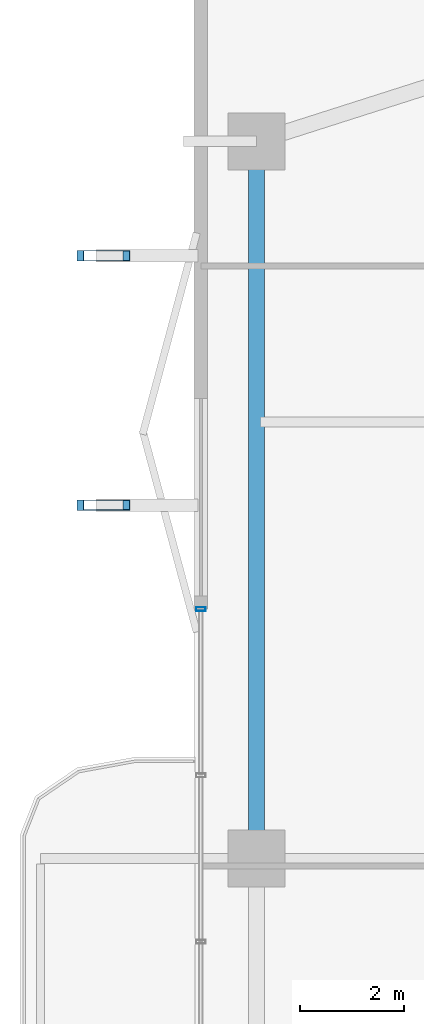
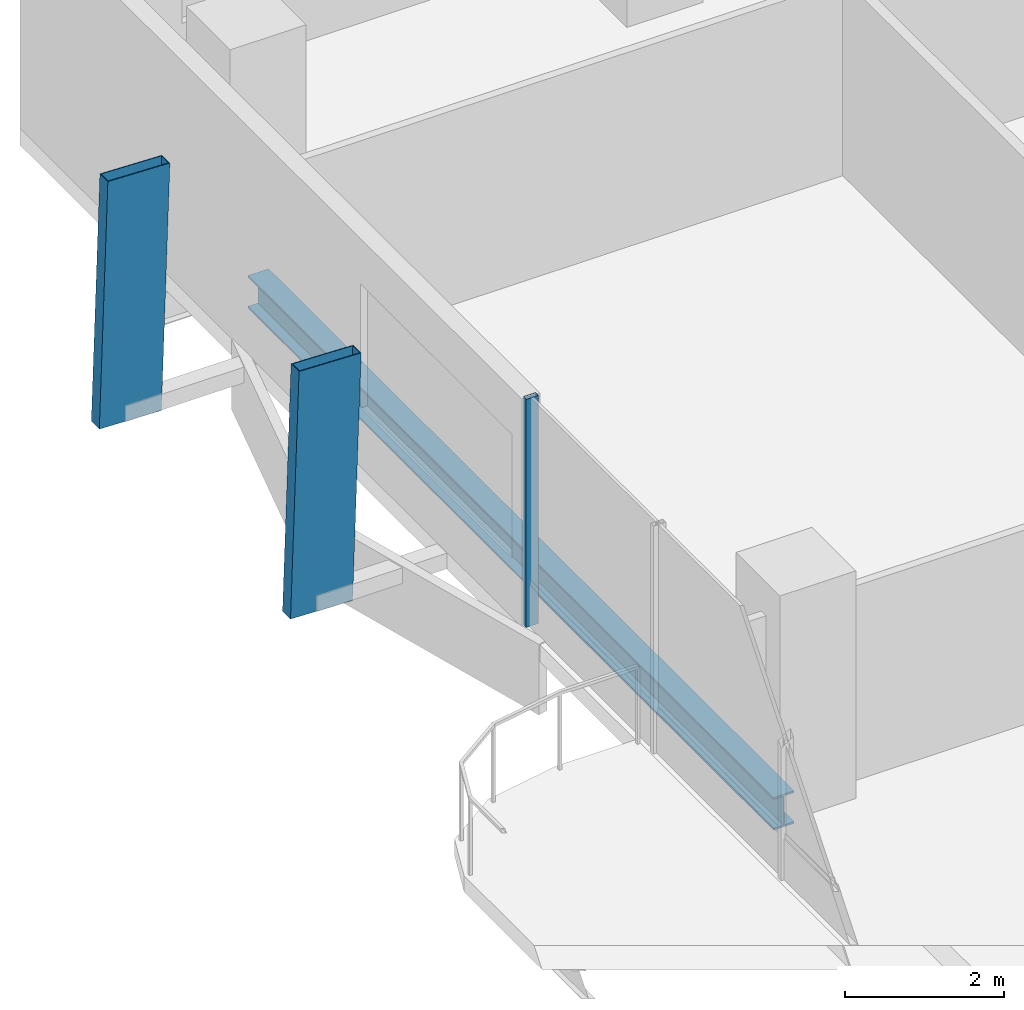
# One storey, part 11 of 25: 3 members, 1 beam, 1 element without a shape of its own.
"""IFC4 building model written with IfcOpenShell, lengths in metres."""

import ifcopenshell
import ifcopenshell.guid

model = None  # the IFC model being written
_history = None  # IfcOwnerHistory: only IFC2X3 demands one
_inside = {}  # id of a spatial element -> (the spatial element, [elements in it])
_under = {}  # id of a project, library or spatial element -> (it, [spatial elements below it])
_declared = {}  # id of a project -> (the project, [libraries it declares])
_typed = {}  # id of a type object -> (the type object, [elements of that type])
_made_of = {}  # id of a material, layer set ... -> (it, [elements and type objects made of it])


def new_model(schema):
    """Start an empty IFC model of exactly this schema.

    Asked for "IFC4X3", IfcOpenShell would pick the latest addendum, in which some entities
    have other attributes; the version numbers below select the first issue.
    IFC2X3 requires an IfcOwnerHistory on every rooted entity: one is made here for all.
    """
    global model, _history
    if schema == "IFC4X3":
        model = ifcopenshell.file(schema_version=(4, 3, 0, 0))
    else:
        model = ifcopenshell.file(schema=schema)
    _inside.clear()
    _under.clear()
    _declared.clear()
    _typed.clear()
    _made_of.clear()
    _history = None
    if model.schema == "IFC2X3":
        org = make("IfcOrganization", Name="unknown")
        user = make(
            "IfcPersonAndOrganization",
            ThePerson=make("IfcPerson", FamilyName="unknown"),
            TheOrganization=org,
        )
        app = make(
            "IfcApplication",
            ApplicationDeveloper=org,
            Version="unknown",
            ApplicationFullName="unknown",
            ApplicationIdentifier="unknown",
        )
        _history = make(
            "IfcOwnerHistory",
            OwningUser=user,
            OwningApplication=app,
            ChangeAction="ADDED",
            CreationDate=0,
        )
    return model


def make(cls, **values):
    """One entity of the class cls with the attributes given. An attribute that is None is left unset."""
    return model.create_entity(
        cls, **{name: value for name, value in values.items() if value is not None}
    )


def rooted(cls, **values):
    """An entity with a GlobalId (a new one), such as an element, a storey or a relation."""
    return make(cls, GlobalId=ifcopenshell.guid.new(), OwnerHistory=_history, **values)


def si_unit(unit_type, name, prefix=None):
    """IfcSIUnit, for example si_unit("LENGTHUNIT", "METRE", prefix="MILLI")."""
    return make("IfcSIUnit", UnitType=unit_type, Prefix=prefix, Name=name)


def assignment(units):
    """IfcUnitAssignment: the units of a project."""
    return None if units is None else make("IfcUnitAssignment", Units=units)


def point(xyz):
    """IfcCartesianPoint."""
    return None if xyz is None else make("IfcCartesianPoint", Coordinates=xyz)


def direction(xyz):
    """IfcDirection."""
    return None if xyz is None else make("IfcDirection", DirectionRatios=xyz)


def frame(location, z_axis=None, x_axis=None):
    """IfcAxis2Placement3D, a coordinate frame: its origin and axes. An axis left out is left unset."""
    return make(
        "IfcAxis2Placement3D",
        Location=point(location),
        Axis=direction(z_axis),
        RefDirection=direction(x_axis),
    )


def frame_2d(location, x_axis=None):
    """IfcAxis2Placement2D, a coordinate frame in the plane: its origin and x axis."""
    return make(
        "IfcAxis2Placement2D", Location=point(location), RefDirection=direction(x_axis)
    )


def origin():
    """The frame at (0, 0, 0) with its axes left unset."""
    return frame((0.0, 0.0, 0.0))


def origin_2d():
    """The frame at (0, 0) in the plane with its x axis left unset."""
    return frame_2d((0.0, 0.0))


def place(relative_to, where):
    """IfcLocalPlacement: puts the frame where relative to a parent placement (None: the world)."""
    return make(
        "IfcLocalPlacement", PlacementRelTo=relative_to, RelativePlacement=where
    )


def context(
    kind, dimensions, precision=None, world=None, true_north=None, identifier=None
):
    """IfcGeometricRepresentationContext, for example the 3D "Model" context."""
    return make(
        "IfcGeometricRepresentationContext",
        ContextIdentifier=identifier,
        ContextType=kind,
        CoordinateSpaceDimension=dimensions,
        Precision=precision,
        WorldCoordinateSystem=world,
        TrueNorth=true_north,
    )


def subcontext(parent, identifier, kind, view, scale=None):
    """IfcGeometricRepresentationSubContext, for example "Body" below "Model"."""
    return make(
        "IfcGeometricRepresentationSubContext",
        ContextIdentifier=identifier,
        ContextType=kind,
        ParentContext=parent,
        TargetScale=scale,
        TargetView=view,
    )


def project(units=None, contexts=None):
    """IfcProject with its units and contexts."""
    return rooted(
        "IfcProject",
        Name="project",
        RepresentationContexts=contexts,
        UnitsInContext=assignment(units),
    )


def spatial(cls, under=None, at=None, **own):
    """A site, building, storey or space (cls), placed at a placement, below another one or the project."""
    s = rooted(cls, ObjectPlacement=at, **own)
    if under is not None:
        _under.setdefault(under.id(), (under, []))[1].append(s)
    return s


def profile(cls, at=None, kind="AREA", **sizes):
    """A parametric profile (cls). Its sizes go by their IFC names, for example OverallWidth=200.0."""
    return make(cls, ProfileType=kind, Position=at, **sizes)


def hollow_rectangle(**sizes):
    """IfcRectangleHollowProfileDef."""
    return profile("IfcRectangleHollowProfileDef", **sizes)


def i_section(**sizes):
    """IfcIShapeProfileDef."""
    return profile("IfcIShapeProfileDef", **sizes)


def extrude(swept, where, along, depth):
    """IfcExtrudedAreaSolid: the profile swept, set in the frame where, extruded along a direction by depth."""
    return make(
        "IfcExtrudedAreaSolid",
        SweptArea=swept,
        Position=where,
        ExtrudedDirection=direction(along),
        Depth=depth,
    )


def shape(context_of_items, identifier, shape_type, items):
    """IfcShapeRepresentation: the items that make up one representation, for example the "Body"."""
    return make(
        "IfcShapeRepresentation",
        ContextOfItems=context_of_items,
        RepresentationIdentifier=identifier,
        RepresentationType=shape_type,
        Items=items,
    )


def material(Name=None, Category=None):
    """IfcMaterial."""
    return make("IfcMaterial", Name=Name, Category=Category)


def layer(
    of_material, thickness, ventilated=None, Name=None, Category=None, Priority=None
):
    """IfcMaterialLayer: one layer of a wall or slab, of a material (None: an air gap)."""
    return make(
        "IfcMaterialLayer",
        Material=of_material,
        LayerThickness=thickness,
        IsVentilated=ventilated,
        Name=Name,
        Category=Category,
        Priority=Priority,
    )


def layer_set(layers, Name=None):
    """IfcMaterialLayerSet."""
    return make("IfcMaterialLayerSet", MaterialLayers=layers, LayerSetName=Name)


def material_profile(
    of_material, cross_section, Name=None, Category=None, Priority=None
):
    """IfcMaterialProfile: a cross section and its material."""
    return make(
        "IfcMaterialProfile",
        Name=Name,
        Material=of_material,
        Profile=cross_section,
        Priority=Priority,
        Category=Category,
    )


def profile_set(profiles, Name=None, composite=None):
    """IfcMaterialProfileSet."""
    return make(
        "IfcMaterialProfileSet",
        Name=Name,
        MaterialProfiles=profiles,
        CompositeProfile=composite,
    )


def made_of(thing, what):
    """Note that an element or type object is made of a material, layer set ...; save() writes the relation."""
    if what is not None:
        _made_of.setdefault(what.id(), (what, []))[1].append(thing)
    return thing


def type_object(cls, material=None, **own):
    """A type object (cls), such as IfcWallType, which elements share."""
    return made_of(rooted(cls, **own), material)


def element(
    cls,
    number,
    at=None,
    inside=None,
    cuts=None,
    type_object=None,
    material=None,
    context=None,
    identifier="Body",
    shape_type=None,
    held_by="IfcProductDefinitionShape",
    body=None,
    shapes=None,
    **own,
):
    """One element of the class cls, such as IfcWall. Its Tag is "e" and its number.

    at: its placement. inside: the storey or other place that contains it. cuts: it is an
    opening in that element (IfcRelVoidsElement). A single representation is given by context,
    identifier, shape_type and body (its items); several are given by shapes. held_by: the class
    of the entity that holds the representations. save() writes the other relations.
    """
    e = rooted(cls, Tag="e%d" % number, ObjectPlacement=at, **own)
    if body is not None:
        shapes = [shape(context, identifier, shape_type, body)]
    if shapes is not None:
        e.Representation = make(held_by, Representations=shapes)
    if inside is not None:
        _inside.setdefault(inside.id(), (inside, []))[1].append(e)
    if cuts is not None:
        rooted(
            "IfcRelVoidsElement", RelatingBuildingElement=cuts, RelatedOpeningElement=e
        )
    if type_object is not None:
        _typed.setdefault(type_object.id(), (type_object, []))[1].append(e)
    return made_of(e, material)


def aggregate(whole, parts):
    """IfcRelAggregates: a whole, such as a stair, and the parts it consists of."""
    return rooted("IfcRelAggregates", RelatingObject=whole, RelatedObjects=parts)


def save(model, path):
    """Write the relations noted so far, then the file.

    IfcRelAggregates (storeys below a building ...), IfcRelContainedInSpatialStructure (elements
    in a storey), IfcRelDefinesByType, IfcRelAssociatesMaterial and IfcRelDeclares: one each for
    every whole, place, type object, material and project.
    """
    for whole, parts in _under.values():
        aggregate(whole, parts)
    for where, things in _inside.values():
        rooted(
            "IfcRelContainedInSpatialStructure",
            RelatedElements=things,
            RelatingStructure=where,
        )
    for kind, things in _typed.values():
        rooted("IfcRelDefinesByType", RelatedObjects=things, RelatingType=kind)
    for what, things in _made_of.values():
        rooted("IfcRelAssociatesMaterial", RelatedObjects=things, RelatingMaterial=what)
    for by, libraries in _declared.values():
        rooted("IfcRelDeclares", RelatingContext=by, RelatedDefinitions=libraries)
    model.write(path)


model = new_model("IFC4")

# Units and contexts
model_context = context("Model", 3, precision=1e-05, world=origin(), true_north=direction((0.0, 1.0)))
body_context = subcontext(model_context, "Body", "Model", "MODEL_VIEW")
ifc_project = project(units=[si_unit("LENGTHUNIT", "METRE"), si_unit("AREAUNIT", "SQUARE_METRE"), si_unit("VOLUMEUNIT", "CUBIC_METRE"), si_unit("PLANEANGLEUNIT", "RADIAN"), si_unit("MASSUNIT", "GRAM", prefix="KILO")], contexts=[model_context])

# Site, building, storey
site_placement = place(None, origin())
site = spatial("IfcSite", under=ifc_project, at=site_placement, CompositionType="ELEMENT")
building_placement = place(site_placement, origin())
building = spatial("IfcBuilding", under=site, at=building_placement, Name="Belovzor Exchange Tower", CompositionType="ELEMENT")
storey_placement = place(building_placement, frame((0.0, 0.0, 142.050048828125)))
storey = spatial("IfcBuildingStorey", under=building, at=storey_placement, Name="L34", CompositionType="ELEMENT", Elevation=142.050048828125)

# Members
ifc_material_1 = material(Name="Extruded Architectural Terracotta on Steel S355 Carrier", Category="masonry")
ifc_material_profile_1 = material_profile(ifc_material_1, hollow_rectangle(XDim=0.199951171875, YDim=0.89990234375, WallThickness=0.011962890625, at=origin_2d()))
ifc_profile_set_1 = profile_set([ifc_material_profile_1], Name="Extruded Architectural Terracotta on Steel S355 Carrier")
member_type_1 = type_object("IfcMemberType", Name="Sweeping Terracotta Baguette Fin Assembly 1250", PredefinedType="USERDEFINED", material=ifc_profile_set_1)
for number, where, z_axis, x_axis, name in (
    (1, (2.693115234375, 35.60009765625, -0.255126953125), (0.032989845915, 0.0, 0.999455686895), (0.0, 1.0, 0.0), "FIN-TC125 Terracotta Facade Fin L34 W3"),
    (2, (2.693115234375, 40.39990234375, -0.255126953125), (0.032989845915, 0.0, 0.999455686895), (0.0, 1.0, 0.0), "FIN-TC125 Terracotta Facade Fin L34 W4"),
):
    element("IfcMember", number, at=place(storey_placement, frame(where, z_axis=z_axis, x_axis=x_axis)), inside=storey, type_object=member_type_1, Name=name, ObjectType="FIN", PredefinedType="USERDEFINED", context=body_context, shape_type="SweptSolid", body=[
        extrude(hollow_rectangle(XDim=0.199951171875, YDim=0.89990234375, WallThickness=0.011962890625, at=origin_2d()), origin(), (0.0, 0.0, 1.0), 3.751953125),
    ])

# Curtain wall, member
ifc_material_2 = material(Name="Anodised Aluminium Framing", Category="aluminium")
ifc_layer = layer(ifc_material_2, 0.179931640625)
ifc_layer_set = layer_set([ifc_layer], Name="Anodised Aluminium Framing")
curtain_wall_type = type_object("IfcCurtainWallType", Name="Recessed Loggia Low-Iron Triple-Glazed Curtain Wall", PredefinedType="NOTDEFINED", material=ifc_layer_set)
curtain_wall_placement = place(storey_placement, origin())
curtain_wall = element("IfcCurtainWall", 3, at=curtain_wall_placement, inside=storey, type_object=curtain_wall_type, Name="CW3 Recessed Loggia Low-Iron Triple-Glazed Curtain Wall L34", PredefinedType="NOTDEFINED")
ifc_material_3 = material(Name="Steel S355", Category="steel")
ifc_material_profile_2 = material_profile(ifc_material_3, hollow_rectangle(XDim=0.074951171875, YDim=0.179931640625, WallThickness=0.0048828125, at=origin_2d()))
ifc_profile_set_2 = profile_set([ifc_material_profile_2], Name="Steel S355")
member_type_2 = type_object("IfcMemberType", Name="Thermally Broken Curtain Wall Mullion 180x75", PredefinedType="MULLION", material=ifc_profile_set_2)
member_placement = place(storey_placement, frame((4.6298828125, 33.60009765625, 0.0), z_axis=(0.0, 0.0, 1.0), x_axis=(0.0, 1.0, 0.0)))
member = element("IfcMember", 4, at=member_placement, type_object=member_type_2, Name="CW-M180 Curtain Wall Mullion 4", PredefinedType="MULLION", context=body_context, shape_type="SweptSolid", body=[
    extrude(hollow_rectangle(XDim=0.074951171875, YDim=0.179931640625, WallThickness=0.0048828125, at=origin_2d()), origin(), (0.0, 0.0, 1.0), 3.494873046875),
])
aggregate(curtain_wall, [member])

# Beam
ifc_material_4 = material(Name="Steel S355", Category="steel")
ifc_material_profile_3 = material_profile(ifc_material_4, i_section(OverallWidth=0.300048828125, OverallDepth=0.5, WebThickness=0.014404296875, FlangeThickness=0.028076171875, at=origin_2d()))
ifc_profile_set_3 = profile_set([ifc_material_profile_3], Name="Steel S355")
beam_type = type_object("IfcBeamType", Name="Zone 3 Waist Primary Girder HEB 500", PredefinedType="BEAM", material=ifc_profile_set_3)
beam_placement = place(storey_placement, frame((5.699951171875, 42.297119140625, -0.505126953125), z_axis=(0.0, -1.0, 0.0), x_axis=(1.0, 0.0, 0.0)))
element("IfcBeam", 5, at=beam_placement, inside=storey, type_object=beam_type, Name="FG-Z3 Zone 3 Waist Primary Girder HEB 500", PredefinedType="BEAM", context=body_context, shape_type="SweptSolid", body=[
    extrude(i_section(OverallWidth=0.300048828125, OverallDepth=0.5, WebThickness=0.014404296875, FlangeThickness=0.028076171875, at=origin_2d()), origin(), (0.0, 0.0, 1.0), 13.195068359375),
])

save(model, "model.ifc")
